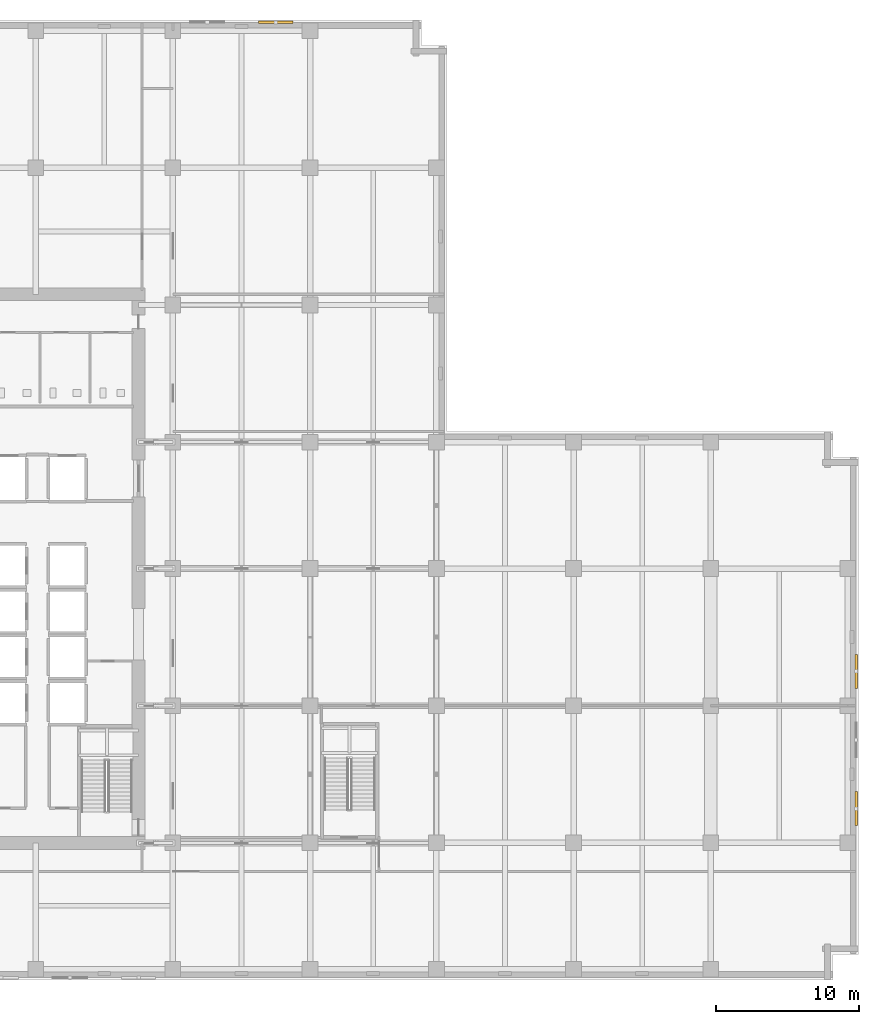
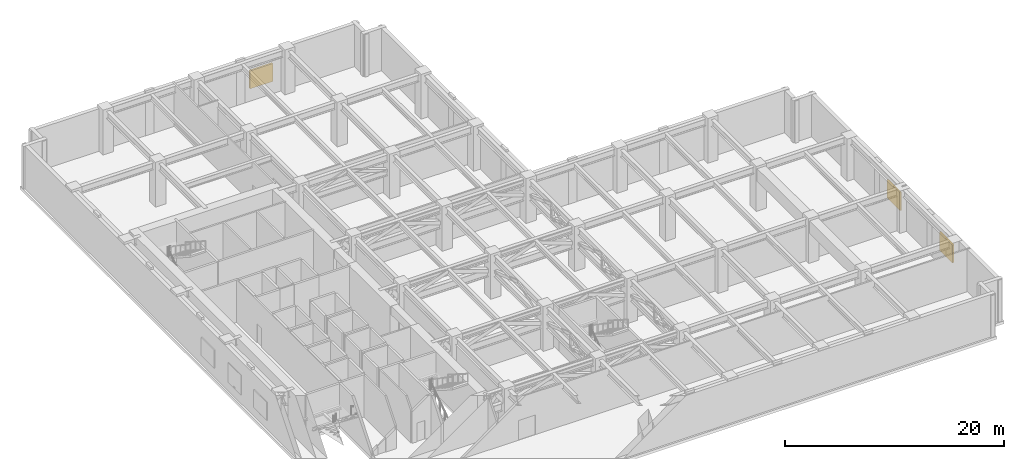
# One storey, part 21 of 22: 3 shading devices.
"""IFC4 building model written with IfcOpenShell, lengths in metres."""

import ifcopenshell
import ifcopenshell.guid

model = None  # the IFC model being written
_history = None  # IfcOwnerHistory: only IFC2X3 demands one
_inside = {}  # id of a spatial element -> (the spatial element, [elements in it])
_under = {}  # id of a project, library or spatial element -> (it, [spatial elements below it])
_declared = {}  # id of a project -> (the project, [libraries it declares])
_typed = {}  # id of a type object -> (the type object, [elements of that type])
_made_of = {}  # id of a material, layer set ... -> (it, [elements and type objects made of it])


def new_model(schema):
    """Start an empty IFC model of exactly this schema.

    Asked for "IFC4X3", IfcOpenShell would pick the latest addendum, in which some entities
    have other attributes; the version numbers below select the first issue.
    IFC2X3 requires an IfcOwnerHistory on every rooted entity: one is made here for all.
    """
    global model, _history
    if schema == "IFC4X3":
        model = ifcopenshell.file(schema_version=(4, 3, 0, 0))
    else:
        model = ifcopenshell.file(schema=schema)
    _inside.clear()
    _under.clear()
    _declared.clear()
    _typed.clear()
    _made_of.clear()
    _history = None
    if model.schema == "IFC2X3":
        org = make("IfcOrganization", Name="unknown")
        user = make(
            "IfcPersonAndOrganization",
            ThePerson=make("IfcPerson", FamilyName="unknown"),
            TheOrganization=org,
        )
        app = make(
            "IfcApplication",
            ApplicationDeveloper=org,
            Version="unknown",
            ApplicationFullName="unknown",
            ApplicationIdentifier="unknown",
        )
        _history = make(
            "IfcOwnerHistory",
            OwningUser=user,
            OwningApplication=app,
            ChangeAction="ADDED",
            CreationDate=0,
        )
    return model


def make(cls, **values):
    """One entity of the class cls with the attributes given. An attribute that is None is left unset."""
    return model.create_entity(
        cls, **{name: value for name, value in values.items() if value is not None}
    )


def rooted(cls, **values):
    """An entity with a GlobalId (a new one), such as an element, a storey or a relation."""
    return make(cls, GlobalId=ifcopenshell.guid.new(), OwnerHistory=_history, **values)


def si_unit(unit_type, name, prefix=None):
    """IfcSIUnit, for example si_unit("LENGTHUNIT", "METRE", prefix="MILLI")."""
    return make("IfcSIUnit", UnitType=unit_type, Prefix=prefix, Name=name)


def assignment(units):
    """IfcUnitAssignment: the units of a project."""
    return None if units is None else make("IfcUnitAssignment", Units=units)


def point(xyz):
    """IfcCartesianPoint."""
    return None if xyz is None else make("IfcCartesianPoint", Coordinates=xyz)


def direction(xyz):
    """IfcDirection."""
    return None if xyz is None else make("IfcDirection", DirectionRatios=xyz)


def frame(location, z_axis=None, x_axis=None):
    """IfcAxis2Placement3D, a coordinate frame: its origin and axes. An axis left out is left unset."""
    return make(
        "IfcAxis2Placement3D",
        Location=point(location),
        Axis=direction(z_axis),
        RefDirection=direction(x_axis),
    )


def frame_2d(location, x_axis=None):
    """IfcAxis2Placement2D, a coordinate frame in the plane: its origin and x axis."""
    return make(
        "IfcAxis2Placement2D", Location=point(location), RefDirection=direction(x_axis)
    )


def origin():
    """The frame at (0, 0, 0) with its axes left unset."""
    return frame((0.0, 0.0, 0.0))


def origin_2d():
    """The frame at (0, 0) in the plane with its x axis left unset."""
    return frame_2d((0.0, 0.0))


def place(relative_to, where):
    """IfcLocalPlacement: puts the frame where relative to a parent placement (None: the world)."""
    return make(
        "IfcLocalPlacement", PlacementRelTo=relative_to, RelativePlacement=where
    )


def context(
    kind, dimensions, precision=None, world=None, true_north=None, identifier=None
):
    """IfcGeometricRepresentationContext, for example the 3D "Model" context."""
    return make(
        "IfcGeometricRepresentationContext",
        ContextIdentifier=identifier,
        ContextType=kind,
        CoordinateSpaceDimension=dimensions,
        Precision=precision,
        WorldCoordinateSystem=world,
        TrueNorth=true_north,
    )


def subcontext(parent, identifier, kind, view, scale=None):
    """IfcGeometricRepresentationSubContext, for example "Body" below "Model"."""
    return make(
        "IfcGeometricRepresentationSubContext",
        ContextIdentifier=identifier,
        ContextType=kind,
        ParentContext=parent,
        TargetScale=scale,
        TargetView=view,
    )


def project(units=None, contexts=None):
    """IfcProject with its units and contexts."""
    return rooted(
        "IfcProject",
        Name="project",
        RepresentationContexts=contexts,
        UnitsInContext=assignment(units),
    )


def spatial(cls, under=None, at=None, **own):
    """A site, building, storey or space (cls), placed at a placement, below another one or the project."""
    s = rooted(cls, ObjectPlacement=at, **own)
    if under is not None:
        _under.setdefault(under.id(), (under, []))[1].append(s)
    return s


def profile(cls, at=None, kind="AREA", **sizes):
    """A parametric profile (cls). Its sizes go by their IFC names, for example OverallWidth=200.0."""
    return make(cls, ProfileType=kind, Position=at, **sizes)


def rectangle(**sizes):
    """IfcRectangleProfileDef."""
    return profile("IfcRectangleProfileDef", **sizes)


def extrude(swept, where, along, depth):
    """IfcExtrudedAreaSolid: the profile swept, set in the frame where, extruded along a direction by depth."""
    return make(
        "IfcExtrudedAreaSolid",
        SweptArea=swept,
        Position=where,
        ExtrudedDirection=direction(along),
        Depth=depth,
    )


def shape(context_of_items, identifier, shape_type, items):
    """IfcShapeRepresentation: the items that make up one representation, for example the "Body"."""
    return make(
        "IfcShapeRepresentation",
        ContextOfItems=context_of_items,
        RepresentationIdentifier=identifier,
        RepresentationType=shape_type,
        Items=items,
    )


def material(Name=None, Category=None):
    """IfcMaterial."""
    return make("IfcMaterial", Name=Name, Category=Category)


def layer(
    of_material, thickness, ventilated=None, Name=None, Category=None, Priority=None
):
    """IfcMaterialLayer: one layer of a wall or slab, of a material (None: an air gap)."""
    return make(
        "IfcMaterialLayer",
        Material=of_material,
        LayerThickness=thickness,
        IsVentilated=ventilated,
        Name=Name,
        Category=Category,
        Priority=Priority,
    )


def layer_set(layers, Name=None):
    """IfcMaterialLayerSet."""
    return make("IfcMaterialLayerSet", MaterialLayers=layers, LayerSetName=Name)


def made_of(thing, what):
    """Note that an element or type object is made of a material, layer set ...; save() writes the relation."""
    if what is not None:
        _made_of.setdefault(what.id(), (what, []))[1].append(thing)
    return thing


def type_object(cls, material=None, **own):
    """A type object (cls), such as IfcWallType, which elements share."""
    return made_of(rooted(cls, **own), material)


def element(
    cls,
    number,
    at=None,
    inside=None,
    cuts=None,
    type_object=None,
    material=None,
    context=None,
    identifier="Body",
    shape_type=None,
    held_by="IfcProductDefinitionShape",
    body=None,
    shapes=None,
    **own,
):
    """One element of the class cls, such as IfcWall. Its Tag is "e" and its number.

    at: its placement. inside: the storey or other place that contains it. cuts: it is an
    opening in that element (IfcRelVoidsElement). A single representation is given by context,
    identifier, shape_type and body (its items); several are given by shapes. held_by: the class
    of the entity that holds the representations. save() writes the other relations.
    """
    e = rooted(cls, Tag="e%d" % number, ObjectPlacement=at, **own)
    if body is not None:
        shapes = [shape(context, identifier, shape_type, body)]
    if shapes is not None:
        e.Representation = make(held_by, Representations=shapes)
    if inside is not None:
        _inside.setdefault(inside.id(), (inside, []))[1].append(e)
    if cuts is not None:
        rooted(
            "IfcRelVoidsElement", RelatingBuildingElement=cuts, RelatedOpeningElement=e
        )
    if type_object is not None:
        _typed.setdefault(type_object.id(), (type_object, []))[1].append(e)
    return made_of(e, material)


def aggregate(whole, parts):
    """IfcRelAggregates: a whole, such as a stair, and the parts it consists of."""
    return rooted("IfcRelAggregates", RelatingObject=whole, RelatedObjects=parts)


def save(model, path):
    """Write the relations noted so far, then the file.

    IfcRelAggregates (storeys below a building ...), IfcRelContainedInSpatialStructure (elements
    in a storey), IfcRelDefinesByType, IfcRelAssociatesMaterial and IfcRelDeclares: one each for
    every whole, place, type object, material and project.
    """
    for whole, parts in _under.values():
        aggregate(whole, parts)
    for where, things in _inside.values():
        rooted(
            "IfcRelContainedInSpatialStructure",
            RelatedElements=things,
            RelatingStructure=where,
        )
    for kind, things in _typed.values():
        rooted("IfcRelDefinesByType", RelatedObjects=things, RelatingType=kind)
    for what, things in _made_of.values():
        rooted("IfcRelAssociatesMaterial", RelatedObjects=things, RelatingMaterial=what)
    for by, libraries in _declared.values():
        rooted("IfcRelDeclares", RelatingContext=by, RelatedDefinitions=libraries)
    model.write(path)


model = new_model("IFC4")

# Units and contexts
model_context = context("Model", 3, precision=1e-05, world=origin(), true_north=direction((0.0, 1.0)))
body_context = subcontext(model_context, "Body", "Model", "MODEL_VIEW")
ifc_project = project(units=[si_unit("LENGTHUNIT", "METRE"), si_unit("AREAUNIT", "SQUARE_METRE"), si_unit("VOLUMEUNIT", "CUBIC_METRE"), si_unit("PLANEANGLEUNIT", "RADIAN"), si_unit("MASSUNIT", "GRAM", prefix="KILO")], contexts=[model_context])

# Site, building, storey
site_placement = place(None, origin())
site = spatial("IfcSite", under=ifc_project, at=site_placement, CompositionType="ELEMENT")
building_placement = place(site_placement, origin())
building = spatial("IfcBuilding", under=site, at=building_placement, Name="Norrvale University Quadrangle", CompositionType="ELEMENT")
storey_placement = place(building_placement, frame((0.0, 0.0, 96.39990234375)))
storey = spatial("IfcBuildingStorey", under=building, at=storey_placement, Name="L24", CompositionType="ELEMENT", Elevation=96.39990234375)

# Shading devices
ifc_material = material(Name="Anodized Aluminium 6063-T6", Category="aluminium")
ifc_layer = layer(ifc_material, 0.179931640625, Name="Anodized Aluminium 6063-T6")
ifc_layer_set = layer_set([ifc_layer], Name="Anodized Aluminium 6063-T6")
shading_device_type = type_object("IfcShadingDeviceType", Name="Shade Louvre 180", PredefinedType="JALOUSIE", material=ifc_layer_set)
for number, where, z_axis, x_axis, name in (
    (1, (67.0400390625, 12.0, 1.10009765625), (0.0, 0.0, 1.0), (0.0, 1.0, 0.0), "Plant Intake Weather Louvre 003"),
    (2, (67.0400390625, 21.60009765625, 1.10009765625), (0.0, 0.0, 1.0), (0.0, 1.0, 0.0), "Plant Intake Weather Louvre 004"),
    (3, (26.39990234375, 67.0400390625, 1.10009765625), (0.0, 0.0, 1.0), (-1.0, 0.0, 0.0), "Plant Intake Weather Louvre 005"),
):
    element("IfcShadingDevice", number, at=place(storey_placement, frame(where, z_axis=z_axis, x_axis=x_axis)), inside=storey, type_object=shading_device_type, Name=name, PredefinedType="JALOUSIE", context=body_context, shape_type="SweptSolid", body=[
        extrude(rectangle(XDim=2.39990234375, YDim=0.179931640625, at=origin_2d()), origin(), (0.0, 0.0, 1.0), 2.0),
    ])

save(model, "model.ifc")
